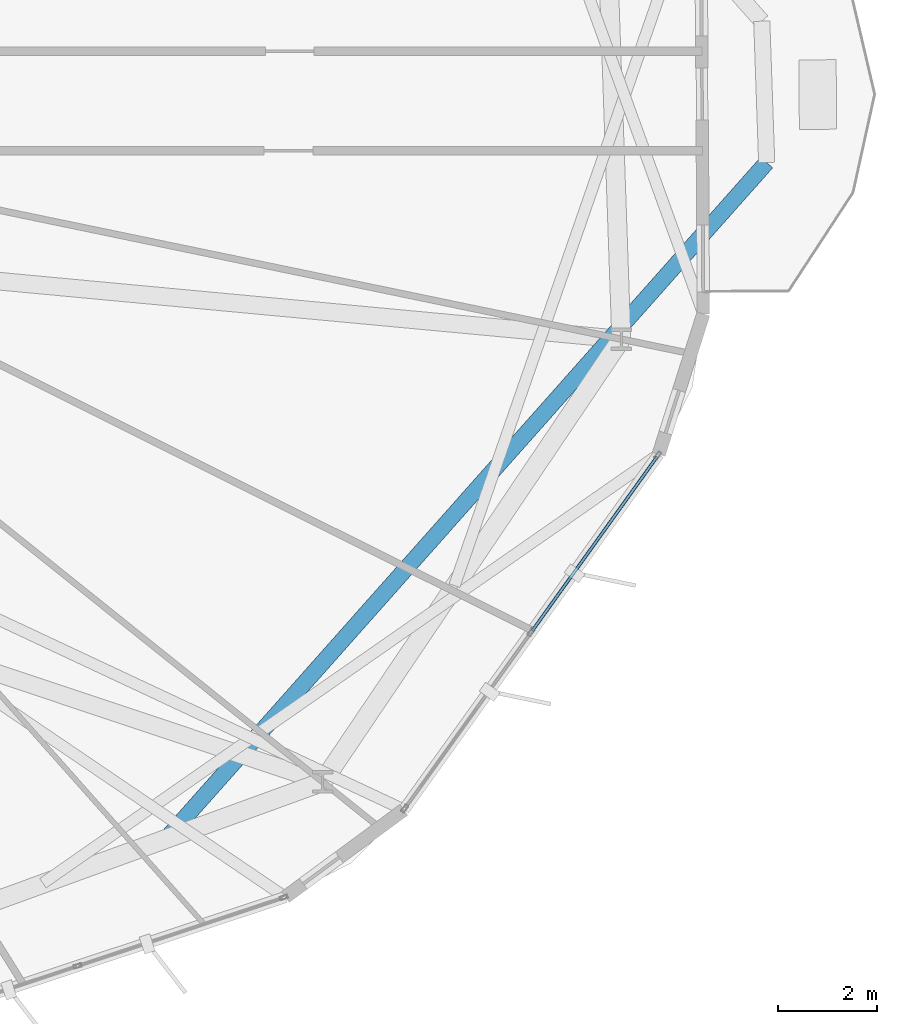
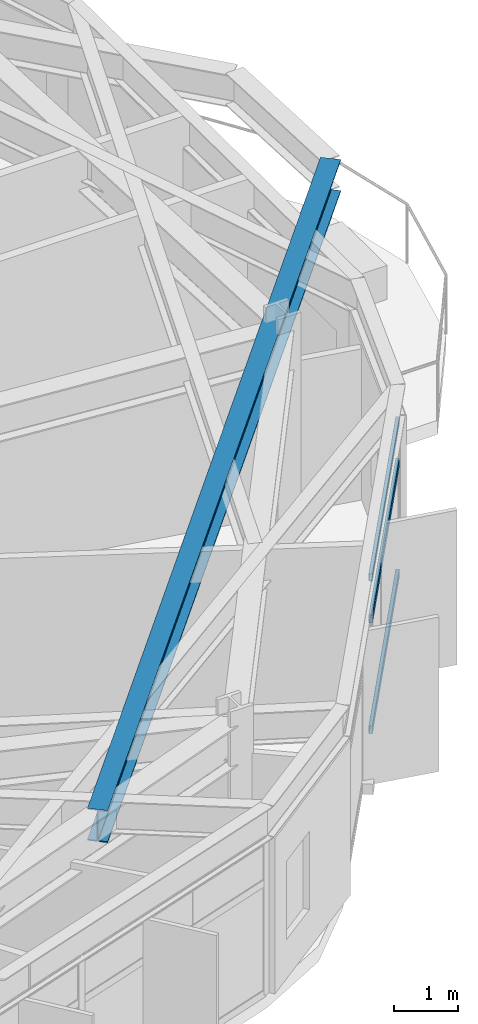
# One storey, part 13 of 27: 3 members, 1 beam, 1 element without a shape of its own.
"""IFC4 building model written with IfcOpenShell, lengths in metres."""

from ifc_helpers import new_model, si_unit, direction, frame, origin, origin_2d, place, context, subcontext, project, spatial, hollow_rectangle, i_section, extrude, material, layer, layer_set, material_profile, profile_set, type_object, element, aggregate, save


model = new_model("IFC4")

# Units and contexts
model_context = context("Model", 3, precision=1e-05, world=origin(), true_north=direction((0.0, 1.0)))
body_context = subcontext(model_context, "Body", "Model", "MODEL_VIEW")
ifc_project = project(units=[si_unit("LENGTHUNIT", "METRE"), si_unit("AREAUNIT", "SQUARE_METRE"), si_unit("VOLUMEUNIT", "CUBIC_METRE"), si_unit("PLANEANGLEUNIT", "RADIAN"), si_unit("MASSUNIT", "GRAM", prefix="KILO")], contexts=[model_context])

# Site, building, storey
site_placement = place(None, origin())
site = spatial("IfcSite", under=ifc_project, at=site_placement, CompositionType="ELEMENT")
building_placement = place(site_placement, origin())
building = spatial("IfcBuilding", under=site, at=building_placement, Name="Soratama Intermodal Tower", CompositionType="ELEMENT")
storey_placement = place(building_placement, frame((0.0, 0.0, 99.10009765625)))
storey = spatial("IfcBuildingStorey", under=building, at=storey_placement, Name="L23", CompositionType="ELEMENT", Elevation=99.10009765625)

# Beam
ifc_material_1 = material(Name="Structural steel ASTM A992 Grade 50", Category="steel")
ifc_material_profile_1 = material_profile(ifc_material_1, i_section(OverallWidth=0.324951171875, OverallDepth=0.615966796875, WebThickness=0.013916015625, FlangeThickness=0.021484375, FilletRadius=0.013916015625, at=origin_2d()), Name="W24X117")
ifc_profile_set_1 = profile_set([ifc_material_profile_1], Name="Structural steel ASTM A992 Grade 50")
beam_type = type_object("IfcBeamType", Name="BM-CANT-W24X117", PredefinedType="BEAM", material=ifc_profile_set_1)
beam_placement = place(storey_placement, frame((52.583984375, 10.169921875, 3.2919921875), z_axis=(0.663972760245, 0.747756761021, 0.0), x_axis=(-0.747756761021, 0.663972760245, 0.0)))
element("IfcBeam", 1, at=beam_placement, inside=storey, type_object=beam_type, Name="BM-L23-CANT-1-1", PredefinedType="BEAM", context=body_context, shape_type="SweptSolid", body=[
    extrude(i_section(OverallWidth=0.324951171875, OverallDepth=0.615966796875, WebThickness=0.013916015625, FlangeThickness=0.021484375, FilletRadius=0.013916015625, at=origin_2d()), origin(), (0.0, 0.0, 1.0), 18.177001953125),
])

# Curtain wall, members
ifc_material_2 = material(Name="Double-glazed aluminium curtain wall", Category="aluminium")
ifc_layer = layer(ifc_material_2, 0.159912109375)
ifc_layer_set = layer_set([ifc_layer], Name="Double-glazed aluminium curtain wall")
curtain_wall_type = type_object("IfcCurtainWallType", Name="CW-SYS-3", PredefinedType="NOTDEFINED", material=ifc_layer_set)
curtain_wall_placement = place(storey_placement, origin())
curtain_wall = element("IfcCurtainWall", 2, at=curtain_wall_placement, inside=storey, type_object=curtain_wall_type, Name="L23 Faceted Curtain Wall F09", PredefinedType="NOTDEFINED")
ifc_material_3 = material(Name="Anodised aluminium AA 6063-T6", Category="aluminium")
ifc_material_profile_2 = material_profile(ifc_material_3, hollow_rectangle(XDim=0.06494140625, YDim=0.14990234375, WallThickness=0.0048828125, InnerFilletRadius=0.0048828125, OuterFilletRadius=0.010009765625, at=origin_2d()), Name="CWT150X65X5")
ifc_profile_set_2 = profile_set([ifc_material_profile_2], Name="Anodised aluminium AA 6063-T6")
member_type = type_object("IfcMemberType", Name="TT-CWT-1", PredefinedType="USERDEFINED", material=ifc_profile_set_2)
member_1_placement = place(storey_placement, frame((59.931884765625, 14.330810546875, 0.02978515625), z_axis=(0.582682836042, 0.812699644753, 0.0), x_axis=(-0.812699644753, 0.582682836042, 0.0)))
member_1 = element("IfcMember", 3, at=member_1_placement, type_object=member_type, Name="CW-3 transom 2.1", ObjectType="TRANSOM", PredefinedType="USERDEFINED", context=body_context, shape_type="SweptSolid", body=[
    extrude(hollow_rectangle(XDim=0.06494140625, YDim=0.14990234375, WallThickness=0.0048828125, InnerFilletRadius=0.0048828125, OuterFilletRadius=0.010009765625, at=origin_2d()), origin(), (0.0, 0.0, 1.0), 4.3134765625),
])
member_2_placement = place(storey_placement, frame((59.931884765625, 14.330810546875, 2.14990234375), z_axis=(0.582682836042, 0.812699644753, 0.0), x_axis=(-0.812699644753, 0.582682836042, 0.0)))
member_2 = element("IfcMember", 4, at=member_2_placement, type_object=member_type, Name="CW-3 transom 2.2", ObjectType="TRANSOM", PredefinedType="USERDEFINED", context=body_context, shape_type="SweptSolid", body=[
    extrude(hollow_rectangle(XDim=0.06494140625, YDim=0.14990234375, WallThickness=0.0048828125, InnerFilletRadius=0.0048828125, OuterFilletRadius=0.010009765625, at=origin_2d()), origin(), (0.0, 0.0, 1.0), 4.3134765625),
])
member_3_placement = place(storey_placement, frame((59.931884765625, 14.330810546875, 2.948974609375), z_axis=(0.582682836042, 0.812699644753, 0.0), x_axis=(-0.812699644753, 0.582682836042, 0.0)))
member_3 = element("IfcMember", 5, at=member_3_placement, type_object=member_type, Name="CW-3 transom 2.3", ObjectType="TRANSOM", PredefinedType="USERDEFINED", context=body_context, shape_type="SweptSolid", body=[
    extrude(hollow_rectangle(XDim=0.06494140625, YDim=0.14990234375, WallThickness=0.0048828125, InnerFilletRadius=0.0048828125, OuterFilletRadius=0.010009765625, at=origin_2d()), origin(), (0.0, 0.0, 1.0), 4.3134765625),
])
aggregate(curtain_wall, [member_1, member_2, member_3])

save(model, "model.ifc")
